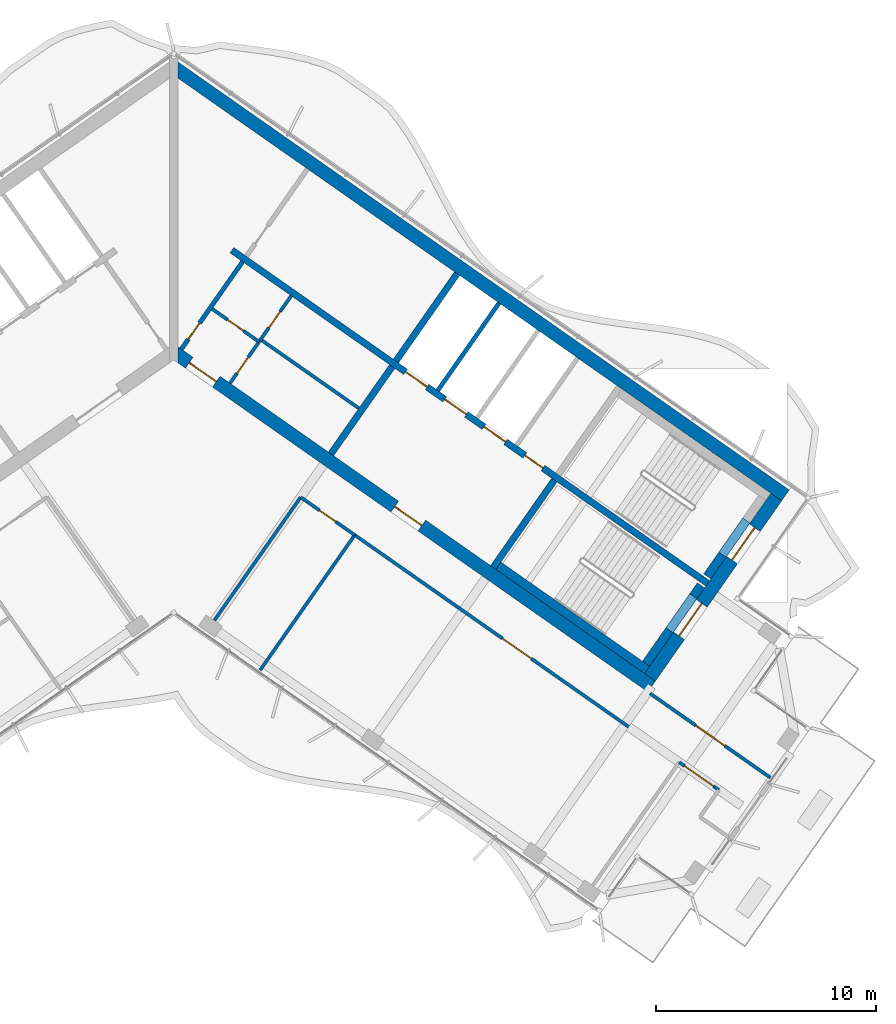
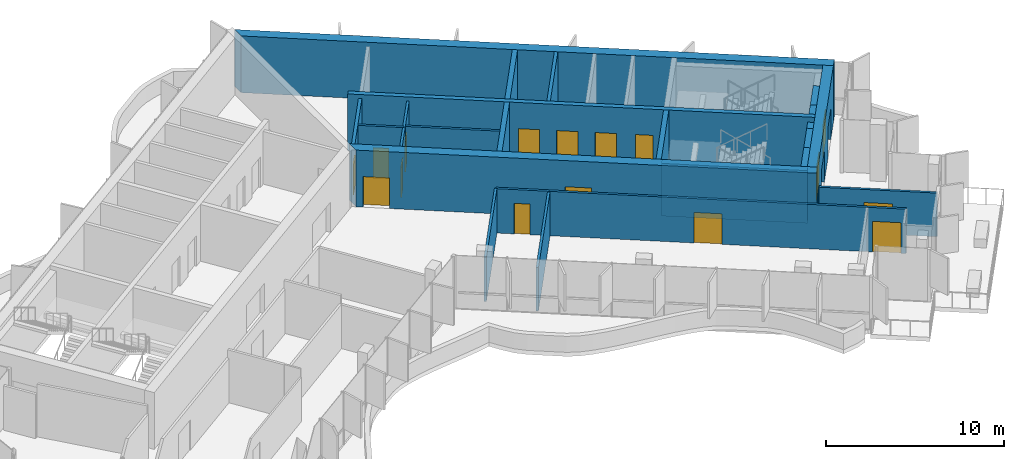
# One storey, part 10 of 18: 24 walls, 16 doors, 16 openings.
"""IFC4 building model written with IfcOpenShell, lengths in metres."""

from ifc_helpers import new_model, si_unit, direction, frame, frame_2d, origin, place, context, subcontext, project, spatial, polyline, rectangle, outline, extrude, material, layer, layer_set, type_object, element, fill, save


model = new_model("IFC4")

# Units and contexts
model_context = context("Model", 3, precision=1e-05, world=origin(), true_north=direction((0.0, 1.0)))
body_context = subcontext(model_context, "Body", "Model", "MODEL_VIEW")
ifc_project = project(units=[si_unit("LENGTHUNIT", "METRE"), si_unit("AREAUNIT", "SQUARE_METRE"), si_unit("VOLUMEUNIT", "CUBIC_METRE"), si_unit("PLANEANGLEUNIT", "RADIAN"), si_unit("MASSUNIT", "GRAM", prefix="KILO")], contexts=[model_context])

# Site, building, storey
site_placement = place(None, origin())
site = spatial("IfcSite", under=ifc_project, at=site_placement, CompositionType="ELEMENT")
building_placement = place(site_placement, origin())
building = spatial("IfcBuilding", under=site, at=building_placement, Name="Tel Ilan Convention Tower", CompositionType="ELEMENT")
storey_placement = place(building_placement, frame((0.0, 0.0, 272.199951171875)))
storey = spatial("IfcBuildingStorey", under=building, at=storey_placement, Name="L64", CompositionType="ELEMENT", Elevation=272.199951171875)

# Wall, openings, doors
ifc_material_1 = material(Name="Gypsum Plasterboard on Steel Stud", Category="steel")
ifc_layer_1 = layer(ifc_material_1, 0.14990234375)
ifc_layer_set_1 = layer_set([ifc_layer_1], Name="Core Room Partition Wall 150 mm EI 60")
wall_type_1 = type_object("IfcWallType", Name="Core Room Partition Wall 150 mm EI 60", PredefinedType="PARTITIONING", material=ifc_layer_set_1)
wall_1_placement = place(storey_placement, frame((2.5556640625, -2.27783203125, 0.0), z_axis=(0.0, 0.0, 1.0), x_axis=(0.573560315113, 0.819163332265, 0.0)))
wall_1 = element("IfcWall", 1, at=wall_1_placement, inside=storey, type_object=wall_type_1, Name="L64 core wall wc-v1", PredefinedType="PARTITIONING", context=body_context, shape_type="SweptSolid", body=[
    extrude(rectangle(XDim=4.849853515625, YDim=0.14990234375, at=frame_2d((2.4248046875, 0.0))), origin(), (0.0, 0.0, 1.0), 3.6201171875),
])
opening_1_placement = place(wall_1_placement, frame((0.550048828125, 0.0, 0.0)))
opening_1 = element("IfcOpeningElement", 2, at=opening_1_placement, cuts=wall_1, Name="Opening CD4911", PredefinedType="OPENING", context=body_context, shape_type="SweptSolid", body=[
    extrude(rectangle(XDim=0.89990234375, YDim=2.10009765625, at=frame_2d((0.449951171875, 1.050048828125))), frame((0.0, 0.0849609375, 0.0), z_axis=(0.0, -1.0, 0.0), x_axis=(1.0, 0.0, 0.0)), (0.0, 0.0, 1.0), 0.169921875),
])
opening_2_placement = place(wall_1_placement, frame((3.074951171875, 0.0, 0.0)))
opening_2 = element("IfcOpeningElement", 3, at=opening_2_placement, cuts=wall_1, Name="Opening CD4912", PredefinedType="OPENING", context=body_context, shape_type="SweptSolid", body=[
    extrude(rectangle(XDim=0.89990234375, YDim=2.10009765625, at=frame_2d((0.449951171875, 1.050048828125))), frame((0.0, 0.0849609375, 0.0), z_axis=(0.0, -1.0, 0.0), x_axis=(1.0, 0.0, 0.0)), (0.0, 0.0, 1.0), 0.169921875),
])
ifc_material_2 = material(Name="Laminated Timber Door Leaf", Category="wood")
door_type_1 = type_object("IfcDoorType", Name="Toilet Door 900 x 2100 FD30S", OperationType="NOTDEFINED", PredefinedType="DOOR", material=ifc_material_2)
door_1_placement = place(opening_1_placement, origin())
door_1 = element("IfcDoor", 4, at=door_1_placement, inside=storey, type_object=door_type_1, Name="Women's WC door", OperationType="SINGLE_SWING_RIGHT", OverallHeight=2.10009765625, OverallWidth=0.89990234375, PredefinedType="DOOR", context=body_context, shape_type="SweptSolid", body=[
    extrude(rectangle(XDim=0.89990234375, YDim=2.10009765625, at=frame_2d((0.449951171875, 1.050048828125))), frame((0.0, 0.02490234375, 0.0), z_axis=(0.0, -1.0, 0.0), x_axis=(1.0, 0.0, 0.0)), (0.0, 0.0, 1.0), 0.050048828125),
])
fill(opening_1, door_1)
door_2_placement = place(opening_2_placement, origin())
door_2 = element("IfcDoor", 5, at=door_2_placement, inside=storey, type_object=door_type_1, Name="Men's WC door", OperationType="SINGLE_SWING_RIGHT", OverallHeight=2.10009765625, OverallWidth=0.89990234375, PredefinedType="DOOR", context=body_context, shape_type="SweptSolid", body=[
    extrude(rectangle(XDim=0.89990234375, YDim=2.10009765625, at=frame_2d((0.449951171875, 1.050048828125))), frame((0.0, 0.02490234375, 0.0), z_axis=(0.0, -1.0, 0.0), x_axis=(1.0, 0.0, 0.0)), (0.0, 0.0, 1.0), 0.050048828125),
])
fill(opening_2, door_2)

# Wall, opening, door
wall_2_placement = place(storey_placement, frame((1.7451171875, 1.097412109375, 0.0), z_axis=(0.0, 0.0, 1.0), x_axis=(0.819178980414, -0.573537965655, 0.0)))
wall_2 = element("IfcWall", 6, at=wall_2_placement, inside=storey, type_object=wall_type_1, Name="L64 core wall wc-h1", PredefinedType="PARTITIONING", context=body_context, shape_type="SweptSolid", body=[
    extrude(rectangle(XDim=2.60009765625, YDim=0.14990234375, at=frame_2d((1.300048828125, 0.0))), origin(), (0.0, 0.0, 1.0), 3.6201171875),
])
opening_3_placement = place(wall_2_placement, frame((0.85009765625, 0.0, 0.0)))
opening_3 = element("IfcOpeningElement", 7, at=opening_3_placement, cuts=wall_2, Name="Opening CD4910", PredefinedType="OPENING", context=body_context, shape_type="SweptSolid", body=[
    extrude(rectangle(XDim=0.89990234375, YDim=2.10009765625, at=frame_2d((0.449951171875, 1.050048828125))), frame((0.0, 0.0849609375, 0.0), z_axis=(0.0, -1.0, 0.0), x_axis=(1.0, 0.0, 0.0)), (0.0, 0.0, 1.0), 0.169921875),
])
door_3_placement = place(opening_3_placement, origin())
door_3 = element("IfcDoor", 8, at=door_3_placement, inside=storey, type_object=door_type_1, Name="Accessible WC door", OperationType="SINGLE_SWING_RIGHT", OverallHeight=2.10009765625, OverallWidth=0.89990234375, PredefinedType="DOOR", context=body_context, shape_type="SweptSolid", body=[
    extrude(rectangle(XDim=0.89990234375, YDim=2.10009765625, at=frame_2d((0.449951171875, 1.050048828125))), frame((0.0, 0.02490234375, 0.0), z_axis=(0.0, -1.0, 0.0), x_axis=(1.0, 0.0, 0.0)), (0.0, 0.0, 1.0), 0.050048828125),
])
fill(opening_3, door_3)

# Wall
wall_3_placement = place(storey_placement, frame((3.946533203125, -0.29150390625, 0.0), z_axis=(0.0, 0.0, 1.0), x_axis=(0.819151939971, -0.573576585332, 0.0)))
element("IfcWall", 9, at=wall_3_placement, inside=storey, type_object=wall_type_1, Name="L64 core wall wc-h2", PredefinedType="PARTITIONING", context=body_context, shape_type="SweptSolid", body=[
    extrude(rectangle(XDim=5.449951171875, YDim=0.14990234375, at=frame_2d((2.72509765625, 0.0))), origin(), (0.0, 0.0, 1.0), 3.6201171875),
])

# Wall, opening, door
ifc_material_3 = material(Name="Concrete C30/37", Category="concrete")
ifc_layer_2 = layer(ifc_material_3, 0.199951171875)
ifc_layer_set_2 = layer_set([ifc_layer_2], Name="Core Service Room Wall 200 mm C30/37")
wall_type_2 = type_object("IfcWallType", Name="Core Service Room Wall 200 mm C30/37", PredefinedType="SOLIDWALL", material=ifc_layer_set_2)
wall_4_placement = place(storey_placement, frame((0.343994140625, -0.729248046875, 0.0), z_axis=(0.0, 0.0, 1.0), x_axis=(0.573560315113, 0.819163332265, 0.0)))
wall_4 = element("IfcWall", 10, at=wall_4_placement, inside=storey, type_object=wall_type_2, Name="L64 core wall apex-E", PredefinedType="SOLIDWALL", context=body_context, shape_type="SweptSolid", body=[
    extrude(rectangle(XDim=4.849853515625, YDim=0.199951171875, at=frame_2d((2.4248046875, 0.0))), origin(), (0.0, 0.0, 1.0), 3.6201171875),
])
opening_4_placement = place(wall_4_placement, frame((0.550048828125, 0.0, 0.0)))
opening_4 = element("IfcOpeningElement", 11, at=opening_4_placement, cuts=wall_4, Name="Opening CD4901", PredefinedType="OPENING", context=body_context, shape_type="SweptSolid", body=[
    extrude(rectangle(XDim=0.89990234375, YDim=2.10009765625, at=frame_2d((0.449951171875, 1.050048828125))), frame((0.0, 0.10986328125, 0.0), z_axis=(0.0, -1.0, 0.0), x_axis=(1.0, 0.0, 0.0)), (0.0, 0.0, 1.0), 0.219970703125),
])
ifc_material_4 = material(Name="Galvanised Steel Door Leaf", Category="steel")
door_type_2 = type_object("IfcDoorType", Name="Service Room Door 900 x 2100 FD60", OperationType="NOTDEFINED", PredefinedType="DOOR", material=ifc_material_4)
door_4_placement = place(opening_4_placement, origin())
door_4 = element("IfcDoor", 12, at=door_4_placement, inside=storey, type_object=door_type_2, Name="Store Room door", OperationType="SINGLE_SWING_RIGHT", OverallHeight=2.10009765625, OverallWidth=0.89990234375, PredefinedType="DOOR", context=body_context, shape_type="SweptSolid", body=[
    extrude(rectangle(XDim=0.89990234375, YDim=2.10009765625, at=frame_2d((0.449951171875, 1.050048828125))), frame((0.0, 0.02490234375, 0.0), z_axis=(0.0, -1.0, 0.0), x_axis=(1.0, 0.0, 0.0)), (0.0, 0.0, 1.0), 0.050048828125),
])
fill(opening_4, door_4)

# Walls
ifc_material_5 = material(Name="Concrete C40/50", Category="concrete")
ifc_layer_3 = layer(ifc_material_5, 0.300048828125)
ifc_layer_set_3 = layer_set([ifc_layer_3], Name="Core Shear Wall 300 mm C40/50")
wall_type_3 = type_object("IfcWallType", Name="Core Shear Wall 300 mm C40/50", PredefinedType="SHEAR", material=ifc_layer_set_3)
wall_5_placement = place(storey_placement, frame((7.142822265625, -5.48974609375, 0.0), z_axis=(0.0, 0.0, 1.0), x_axis=(0.573617744349, 0.819123118565, 0.0)))
element("IfcWall", 13, at=wall_5_placement, inside=storey, type_object=wall_type_3, Name="L64 core wall E-cross1-1", PredefinedType="SHEAR", context=body_context, shape_type="SweptSolid", body=[
    extrude(outline(polyline([(0.0, 0.14990234375), (0.0, -0.150146484375), (4.85009765625, -0.14990234375), (4.85009765625, 0.150146484375), (0.0, 0.14990234375)])), origin(), (0.0, 0.0, 1.0), 3.900146484375),
])
wall_6_placement = place(storey_placement, frame((10.096923828125, -1.271240234375, 0.0), z_axis=(0.0, 0.0, 1.0), x_axis=(0.573560315113, 0.819163332265, 0.0)))
element("IfcWall", 14, at=wall_6_placement, inside=storey, type_object=wall_type_3, Name="L64 core wall E-cross1-2", PredefinedType="SHEAR", context=body_context, shape_type="SweptSolid", body=[
    extrude(outline(polyline([(4.849853515625, -0.150146484375), (4.849853515625, 0.14990234375), (0.0, 0.150146484375), (0.0, -0.14990234375), (4.849853515625, -0.150146484375)])), origin(), (0.0, 0.0, 1.0), 3.900146484375),
])
wall_7_placement = place(storey_placement, frame((14.515380859375, -10.652099609375, 0.0), z_axis=(0.0, 0.0, 1.0), x_axis=(0.573560315113, 0.819163332265, 0.0)))
element("IfcWall", 15, at=wall_7_placement, inside=storey, type_object=wall_type_3, Name="L64 core wall E-cross2-1", PredefinedType="SHEAR", context=body_context, shape_type="SweptSolid", body=[
    extrude(outline(polyline([(0.0, 0.150146484375), (0.0, -0.14990234375), (4.85009765625, -0.14990234375), (4.85009765625, 0.14990234375), (0.0, 0.150146484375)])), origin(), (0.0, 0.0, 1.0), 3.900146484375),
])

# Wall, openings, doors
wall_8_placement = place(storey_placement, frame((2.638427734375, 3.76806640625, 0.0), z_axis=(0.0, 0.0, 1.0), x_axis=(0.819155014212, -0.573572194837, 0.0)))
wall_8 = element("IfcWall", 16, at=wall_8_placement, inside=storey, type_object=wall_type_3, Name="L64 core wall E-spine", PredefinedType="SHEAR", context=body_context, shape_type="SweptSolid", body=[
    extrude(outline(polyline([(0.0, 0.150146484375), (0.0, -0.14990234375), (26.39990234375, -0.150146484375), (26.39990234375, 0.14990234375), (0.0, 0.150146484375)])), origin(), (0.0, 0.0, 1.0), 3.900146484375),
])
opening_5_placement = place(wall_8_placement, frame((9.637451171875, 0.0, 0.0)))
opening_5 = element("IfcOpeningElement", 17, at=opening_5_placement, cuts=wall_8, Name="Opening LD4901", PredefinedType="OPENING", context=body_context, shape_type="SweptSolid", body=[
    extrude(rectangle(XDim=1.199951171875, YDim=2.10009765625, at=frame_2d((0.60009765625, 1.050048828125))), frame((0.0, 0.159912109375, 0.0), z_axis=(0.0, -1.0, 0.0), x_axis=(1.0, 0.0, 0.0)), (0.0, 0.0, 1.0), 0.320068359375),
])
opening_6_placement = place(wall_8_placement, frame((11.8125, 0.0, 0.0)))
opening_6 = element("IfcOpeningElement", 18, at=opening_6_placement, cuts=wall_8, Name="Opening LD4902", PredefinedType="OPENING", context=body_context, shape_type="SweptSolid", body=[
    extrude(rectangle(XDim=1.199951171875, YDim=2.10009765625, at=frame_2d((0.60009765625, 1.050048828125))), frame((0.0, 0.159912109375, 0.0), z_axis=(0.0, -1.0, 0.0), x_axis=(1.0, 0.0, 0.0)), (0.0, 0.0, 1.0), 0.320068359375),
])
opening_7_placement = place(wall_8_placement, frame((13.987548828125, 0.0, 0.0)))
opening_7 = element("IfcOpeningElement", 19, at=opening_7_placement, cuts=wall_8, Name="Opening LD4903", PredefinedType="OPENING", context=body_context, shape_type="SweptSolid", body=[
    extrude(rectangle(XDim=1.199951171875, YDim=2.10009765625, at=frame_2d((0.60009765625, 1.050048828125))), frame((0.0, 0.159912109375, 0.0), z_axis=(0.0, -1.0, 0.0), x_axis=(1.0, 0.0, 0.0)), (0.0, 0.0, 1.0), 0.320068359375),
])
opening_8_placement = place(wall_8_placement, frame((16.262451171875, 0.0, 0.0)))
opening_8 = element("IfcOpeningElement", 20, at=opening_8_placement, cuts=wall_8, Name="Opening CD4908", PredefinedType="OPENING", context=body_context, shape_type="SweptSolid", body=[
    extrude(rectangle(XDim=1.0, YDim=2.10009765625, at=frame_2d((0.5, 1.050048828125))), frame((0.0, 0.159912109375, 0.0), z_axis=(0.0, -1.0, 0.0), x_axis=(1.0, 0.0, 0.0)), (0.0, 0.0, 1.0), 0.320068359375),
])
ifc_material_6 = material(Name="Stainless Steel Sliding Door Leaf", Category="steel")
door_type_3 = type_object("IfcDoorType", Name="Lift Landing Door 1200 x 2100 FD120", OperationType="NOTDEFINED", PredefinedType="DOOR", material=ifc_material_6)
door_5_placement = place(opening_5_placement, origin())
door_5 = element("IfcDoor", 21, at=door_5_placement, inside=storey, type_object=door_type_3, Name="Lift FL1 landing door", OperationType="SLIDING_TO_LEFT", OverallHeight=2.10009765625, OverallWidth=1.199951171875, PredefinedType="DOOR", context=body_context, shape_type="SweptSolid", body=[
    extrude(rectangle(XDim=1.199951171875, YDim=2.10009765625, at=frame_2d((0.60009765625, 1.050048828125))), frame((0.0, 0.02490234375, 0.0), z_axis=(0.0, -1.0, 0.0), x_axis=(1.0, 0.0, 0.0)), (0.0, 0.0, 1.0), 0.050048828125),
])
fill(opening_5, door_5)
door_6_placement = place(opening_6_placement, origin())
door_6 = element("IfcDoor", 22, at=door_6_placement, inside=storey, type_object=door_type_3, Name="Lift FL2 landing door", OperationType="SLIDING_TO_RIGHT", OverallHeight=2.10009765625, OverallWidth=1.199951171875, PredefinedType="DOOR", context=body_context, shape_type="SweptSolid", body=[
    extrude(rectangle(XDim=1.199951171875, YDim=2.10009765625, at=frame_2d((0.60009765625, 1.050048828125))), frame((0.0, 0.02490234375, 0.0), z_axis=(0.0, -1.0, 0.0), x_axis=(1.0, 0.0, 0.0)), (0.0, 0.0, 1.0), 0.050048828125),
])
fill(opening_6, door_6)
door_7_placement = place(opening_7_placement, origin())
door_7 = element("IfcDoor", 23, at=door_7_placement, inside=storey, type_object=door_type_3, Name="Lift FL3 landing door", OperationType="SLIDING_TO_LEFT", OverallHeight=2.10009765625, OverallWidth=1.199951171875, PredefinedType="DOOR", context=body_context, shape_type="SweptSolid", body=[
    extrude(rectangle(XDim=1.199951171875, YDim=2.10009765625, at=frame_2d((0.60009765625, 1.050048828125))), frame((0.0, 0.02490234375, 0.0), z_axis=(0.0, -1.0, 0.0), x_axis=(1.0, 0.0, 0.0)), (0.0, 0.0, 1.0), 0.050048828125),
])
fill(opening_7, door_7)
ifc_material_7 = material(Name="Galvanised Steel Door Leaf", Category="steel")
door_type_4 = type_object("IfcDoorType", Name="Service Room Door 1000 x 2100 FD60", OperationType="NOTDEFINED", PredefinedType="DOOR", material=ifc_material_7)
door_8_placement = place(opening_8_placement, origin())
door_8 = element("IfcDoor", 24, at=door_8_placement, inside=storey, type_object=door_type_4, Name="Plant Room door", OperationType="SINGLE_SWING_RIGHT", OverallHeight=2.10009765625, OverallWidth=1.0, PredefinedType="DOOR", context=body_context, shape_type="SweptSolid", body=[
    extrude(rectangle(XDim=1.0, YDim=2.10009765625, at=frame_2d((0.5, 1.050048828125))), frame((0.0, 0.02490234375, 0.0), z_axis=(0.0, -1.0, 0.0), x_axis=(1.0, 0.0, 0.0)), (0.0, 0.0, 1.0), 0.050048828125),
])
fill(opening_8, door_8)

# Wall
ifc_material_8 = material(Name="Concrete C40/50", Category="concrete")
ifc_layer_4 = layer(ifc_material_8, 0.60009765625)
ifc_layer_set_4 = layer_set([ifc_layer_4], Name="Core Shear Wall 600 mm C40/50")
wall_type_4 = type_object("IfcWallType", Name="Core Shear Wall 600 mm C40/50", PredefinedType="SHEAR", material=ifc_layer_set_4)
wall_9_placement = place(storey_placement, frame((0.02783203125, 12.066162109375, 0.0), z_axis=(0.0, 0.0, 1.0), x_axis=(0.819151382952, -0.573577380837, 0.0)))
element("IfcWall", 25, at=wall_9_placement, inside=storey, type_object=wall_type_4, Name="L64 core wall E-back", PredefinedType="SHEAR", context=body_context, shape_type="SweptSolid", body=[
    extrude(outline(polyline([(33.898193359375, 0.300048828125), (0.0, 0.300048828125), (0.420166015625, -0.300048828125), (33.89794921875, -0.300048828125), (33.898193359375, 0.300048828125)])), origin(), (0.0, 0.0, 1.0), 3.900146484375),
])

# Wall, openings, doors
wall_10_placement = place(storey_placement, frame((0.02783203125, -0.8740234375, 0.0), z_axis=(0.0, 0.0, 1.0), x_axis=(0.819150035022, -0.573579305871, 0.0)))
wall_10 = element("IfcWall", 26, at=wall_10_placement, inside=storey, type_object=wall_type_4, Name="L64 core wall E-front", PredefinedType="SHEAR", context=body_context, shape_type="SweptSolid", body=[
    extrude(outline(polyline([(26.475830078125, 0.300048828125), (0.000244140625, 0.300048828125), (0.420166015625, -0.300048828125), (26.475830078125, -0.2998046875), (26.475830078125, 0.300048828125)])), origin(), (0.0, 0.0, 1.0), 3.900146484375),
])
opening_9_placement = place(wall_10_placement, frame((0.82568359375, 0.0, 0.0)))
opening_9 = element("IfcOpeningElement", 27, at=opening_9_placement, cuts=wall_10, Name="Opening CD4904", PredefinedType="OPENING", context=body_context, shape_type="SweptSolid", body=[
    extrude(rectangle(XDim=1.5, YDim=2.10009765625, at=frame_2d((0.75, 1.050048828125))), frame((0.0, 0.31005859375, 0.0), z_axis=(0.0, -1.0, 0.0), x_axis=(1.0, 0.0, 0.0)), (0.0, 0.0, 1.0), 0.6201171875),
])
opening_10_placement = place(wall_10_placement, frame((12.225830078125, 0.0, 0.0)))
opening_10 = element("IfcOpeningElement", 28, at=opening_10_placement, cuts=wall_10, Name="Opening CD4905", PredefinedType="OPENING", context=body_context, shape_type="SweptSolid", body=[
    extrude(rectangle(XDim=1.5, YDim=2.10009765625, at=frame_2d((0.75, 1.050048828125))), frame((0.0, 0.31005859375, 0.0), z_axis=(0.0, -1.0, 0.0), x_axis=(1.0, 0.0, 0.0)), (0.0, 0.0, 1.0), 0.6201171875),
])
ifc_material_9 = material(Name="Glazed Aluminium Door Leaf", Category="aluminium")
door_type_5 = type_object("IfcDoorType", Name="Lobby Opening Door 1500 x 2100 FD60S", OperationType="NOTDEFINED", PredefinedType="DOOR", material=ifc_material_9)
door_9_placement = place(opening_10_placement, origin())
door_9 = element("IfcDoor", 29, at=door_9_placement, inside=storey, type_object=door_type_5, Name="Firefighting Lobby door", OperationType="DOUBLE_DOOR_SINGLE_SWING", OverallHeight=2.10009765625, OverallWidth=1.5, PredefinedType="DOOR", context=body_context, shape_type="SweptSolid", body=[
    extrude(rectangle(XDim=1.5, YDim=2.10009765625, at=frame_2d((0.75, 1.050048828125))), frame((0.0, 0.02490234375, 0.0), z_axis=(0.0, -1.0, 0.0), x_axis=(1.0, 0.0, 0.0)), (0.0, 0.0, 1.0), 0.050048828125),
])
fill(opening_10, door_9)
ifc_material_10 = material(Name="Laminated Timber Door Leaf", Category="wood")
door_type_6 = type_object("IfcDoorType", Name="Toilet Door 1500 x 2100 FD30S", OperationType="NOTDEFINED", PredefinedType="DOOR", material=ifc_material_10)
door_10_placement = place(opening_9_placement, origin())
door_10 = element("IfcDoor", 30, at=door_10_placement, inside=storey, type_object=door_type_6, Name="WC Lobby door", OperationType="SINGLE_SWING_RIGHT", OverallHeight=2.10009765625, OverallWidth=1.5, PredefinedType="DOOR", context=body_context, shape_type="SweptSolid", body=[
    extrude(rectangle(XDim=1.5, YDim=2.10009765625, at=frame_2d((0.75, 1.050048828125))), frame((0.0, 0.02490234375, 0.0), z_axis=(0.0, -1.0, 0.0), x_axis=(1.0, 0.0, 0.0)), (0.0, 0.0, 1.0), 0.050048828125),
])
fill(opening_9, door_10)

wall_11_placement = place(storey_placement, frame((21.641845703125, -15.64208984375, 0.0), z_axis=(0.0, 0.0, 1.0), x_axis=(0.573586866468, 0.819144740944, 0.0)))
wall_11 = element("IfcWall", 31, at=wall_11_placement, inside=storey, type_object=wall_type_4, Name="L64 core wall E-end", PredefinedType="SHEAR", context=body_context, shape_type="SweptSolid", body=[
    extrude(outline(polyline([(10.0, 0.300048828125), (0.0, 0.2998046875), (0.0, -0.300048828125), (10.0, -0.300048828125), (10.0, 0.300048828125)])), origin(), (0.0, 0.0, 1.0), 3.900146484375),
])
opening_11_placement = place(wall_11_placement, frame((6.5, 0.0, 0.0)))
opening_11 = element("IfcOpeningElement", 32, at=opening_11_placement, cuts=wall_11, Name="Opening SD4903", PredefinedType="OPENING", context=body_context, shape_type="SweptSolid", body=[
    extrude(rectangle(XDim=1.800048828125, YDim=2.10009765625, at=frame_2d((0.89990234375, 1.050048828125))), frame((0.0, 0.31005859375, 0.0), z_axis=(0.0, -1.0, 0.0), x_axis=(1.0, 0.0, 0.0)), (0.0, 0.0, 1.0), 0.6201171875),
])
opening_12_placement = place(wall_11_placement, frame((2.300048828125, 0.0, 0.0)))
opening_12 = element("IfcOpeningElement", 33, at=opening_12_placement, cuts=wall_11, Name="Opening SD4904", PredefinedType="OPENING", context=body_context, shape_type="SweptSolid", body=[
    extrude(rectangle(XDim=1.800048828125, YDim=2.10009765625, at=frame_2d((0.89990234375, 1.050048828125))), frame((0.0, 0.31005859375, 0.0), z_axis=(0.0, -1.0, 0.0), x_axis=(1.0, 0.0, 0.0)), (0.0, 0.0, 1.0), 0.6201171875),
])
ifc_material_11 = material(Name="Galvanised Steel Door Leaf", Category="steel")
door_type_7 = type_object("IfcDoorType", Name="Stair Fire Door 1800 x 2100 FD60S", OperationType="NOTDEFINED", PredefinedType="DOOR", material=ifc_material_11)
door_11_placement = place(opening_11_placement, origin())
door_11 = element("IfcDoor", 34, at=door_11_placement, inside=storey, type_object=door_type_7, Name="Stair S3 door", OperationType="DOUBLE_DOOR_SINGLE_SWING", OverallHeight=2.10009765625, OverallWidth=1.800048828125, PredefinedType="DOOR", context=body_context, shape_type="SweptSolid", body=[
    extrude(rectangle(XDim=1.800048828125, YDim=2.10009765625, at=frame_2d((0.89990234375, 1.050048828125))), frame((0.0, 0.02490234375, 0.0), z_axis=(0.0, -1.0, 0.0), x_axis=(1.0, 0.0, 0.0)), (0.0, 0.0, 1.0), 0.050048828125),
])
fill(opening_11, door_11)
door_12_placement = place(opening_12_placement, origin())
door_12 = element("IfcDoor", 35, at=door_12_placement, inside=storey, type_object=door_type_7, Name="Stair S4 door", OperationType="DOUBLE_DOOR_SINGLE_SWING", OverallHeight=2.10009765625, OverallWidth=1.800048828125, PredefinedType="DOOR", context=body_context, shape_type="SweptSolid", body=[
    extrude(rectangle(XDim=1.800048828125, YDim=2.10009765625, at=frame_2d((0.89990234375, 1.050048828125))), frame((0.0, 0.02490234375, 0.0), z_axis=(0.0, -1.0, 0.0), x_axis=(1.0, 0.0, 0.0)), (0.0, 0.0, 1.0), 0.050048828125),
])
fill(opening_12, door_12)

# Wall, opening, door
ifc_material_12 = material(Name="Plasterboard on Steel Studs", Category="steel")
ifc_layer_5 = layer(ifc_material_12, 0.14990234375)
ifc_layer_set_5 = layer_set([ifc_layer_5], Name="Fire-rated Partition 150 EI 60")
wall_type_5 = type_object("IfcWallType", Name="Fire-rated Partition 150 EI 60", PredefinedType="PARTITIONING", material=ifc_layer_set_5)
wall_12_placement = place(storey_placement, frame((21.641845703125, -16.37451171875, 0.0), z_axis=(0.0, 0.0, 1.0), x_axis=(0.819147777977, -0.573582529227, 0.0)))
wall_12 = element("IfcWall", 36, at=wall_12_placement, inside=storey, type_object=wall_type_5, Name="Partition 001", PredefinedType="PARTITIONING", context=body_context, shape_type="SweptSolid", body=[
    extrude(rectangle(XDim=6.679931640625, YDim=0.14990234375, at=frame_2d((3.33984375, 0.0))), origin(), (0.0, 0.0, 1.0), 3.0),
])
opening_13_placement = place(wall_12_placement, frame((2.5400390625, 0.0, 0.0)))
opening_13 = element("IfcOpeningElement", 37, at=opening_13_placement, cuts=wall_12, Name="Opening L64-010", PredefinedType="OPENING", context=body_context, shape_type="SweptSolid", body=[
    extrude(rectangle(XDim=1.60009765625, YDim=2.10009765625, at=frame_2d((0.800048828125, 1.050048828125))), frame((0.0, 0.0849609375, 0.0), z_axis=(0.0, -1.0, 0.0), x_axis=(1.0, 0.0, 0.0)), (0.0, 0.0, 1.0), 0.169921875),
])
ifc_material_13 = material(Name="Timber Door Leaf in Steel Frame", Category="steel")
door_type_8 = type_object("IfcDoorType", Name="Tenant Suite Entrance Fire Door 1600x2100", OperationType="NOTDEFINED", PredefinedType="DOOR", material=ifc_material_13)
door_13_placement = place(opening_13_placement, origin())
door_13 = element("IfcDoor", 38, at=door_13_placement, inside=storey, type_object=door_type_8, Name="Door L64-010", OperationType="DOUBLE_DOOR_SINGLE_SWING", OverallHeight=2.10009765625, OverallWidth=1.60009765625, PredefinedType="DOOR", context=body_context, shape_type="SweptSolid", body=[
    extrude(rectangle(XDim=1.60009765625, YDim=2.10009765625, at=frame_2d((0.800048828125, 1.050048828125))), frame((0.0, 0.02490234375, 0.0), z_axis=(0.0, -1.0, 0.0), x_axis=(1.0, 0.0, 0.0)), (0.0, 0.0, 1.0), 0.050048828125),
])
fill(opening_13, door_13)

wall_13_placement = place(storey_placement, frame((8.225341796875, -9.177734375, 0.0), z_axis=(0.0, 0.0, 1.0), x_axis=(-0.819132568355, 0.573604249862, 0.0)))
wall_13 = element("IfcWall", 39, at=wall_13_placement, inside=storey, type_object=wall_type_5, Name="Partition 002", PredefinedType="PARTITIONING", context=body_context, shape_type="SweptSolid", body=[
    extrude(rectangle(XDim=3.001953125, YDim=0.14990234375, at=frame_2d((1.5009765625, 0.0))), origin(), (0.0, 0.0, 1.0), 3.050048828125),
])
opening_14_placement = place(wall_13_placement, frame((1.051025390625, 0.0, 0.0)))
opening_14 = element("IfcOpeningElement", 40, at=opening_14_placement, cuts=wall_13, Name="Opening L64-007", PredefinedType="OPENING", context=body_context, shape_type="SweptSolid", body=[
    extrude(rectangle(XDim=0.89990234375, YDim=2.10009765625, at=frame_2d((0.449951171875, 1.050048828125))), frame((0.0, 0.0849609375, 0.0), z_axis=(0.0, -1.0, 0.0), x_axis=(1.0, 0.0, 0.0)), (0.0, 0.0, 1.0), 0.169921875),
])
ifc_material_14 = material(Name="Timber Door Leaf in Steel Frame", Category="steel")
door_type_9 = type_object("IfcDoorType", Name="Room Fire Door 900x2100", OperationType="NOTDEFINED", PredefinedType="DOOR", material=ifc_material_14)
door_14_placement = place(opening_14_placement, origin())
door_14 = element("IfcDoor", 41, at=door_14_placement, inside=storey, type_object=door_type_9, Name="Door L64-007", OperationType="SINGLE_SWING_RIGHT", OverallHeight=2.10009765625, OverallWidth=0.89990234375, PredefinedType="DOOR", context=body_context, shape_type="SweptSolid", body=[
    extrude(rectangle(XDim=0.89990234375, YDim=2.10009765625, at=frame_2d((0.449951171875, 1.050048828125))), frame((0.0, 0.02490234375, 0.0), z_axis=(0.0, -1.0, 0.0), x_axis=(1.0, 0.0, 0.0)), (0.0, 0.0, 1.0), 0.050048828125),
])
fill(opening_14, door_14)

wall_14_placement = place(storey_placement, frame((22.97021484375, -19.502197265625, 0.0), z_axis=(0.0, 0.0, 1.0), x_axis=(-0.819146545681, 0.573584289097, 0.0)))
wall_14 = element("IfcWall", 42, at=wall_14_placement, inside=storey, type_object=wall_type_5, Name="Partition 003", PredefinedType="PARTITIONING", context=body_context, shape_type="SweptSolid", body=[
    extrude(rectangle(XDim=18.004150390625, YDim=0.14990234375, at=frame_2d((9.001953125, 0.0))), origin(), (0.0, 0.0, 1.0), 3.050048828125),
])
opening_15_placement = place(wall_14_placement, frame((8.201904296875, 0.0, 0.0)))
opening_15 = element("IfcOpeningElement", 43, at=opening_15_placement, cuts=wall_14, Name="Opening L64-008", PredefinedType="OPENING", context=body_context, shape_type="SweptSolid", body=[
    extrude(rectangle(XDim=1.60009765625, YDim=2.10009765625, at=frame_2d((0.800048828125, 1.050048828125))), frame((0.0, 0.0849609375, 0.0), z_axis=(0.0, -1.0, 0.0), x_axis=(1.0, 0.0, 0.0)), (0.0, 0.0, 1.0), 0.169921875),
])
door_15_placement = place(opening_15_placement, origin())
door_15 = element("IfcDoor", 44, at=door_15_placement, inside=storey, type_object=door_type_8, Name="Door L64-008", OperationType="DOUBLE_DOOR_SINGLE_SWING", OverallHeight=2.10009765625, OverallWidth=1.60009765625, PredefinedType="DOOR", context=body_context, shape_type="SweptSolid", body=[
    extrude(rectangle(XDim=1.60009765625, YDim=2.10009765625, at=frame_2d((0.800048828125, 1.050048828125))), frame((0.0, 0.02490234375, 0.0), z_axis=(0.0, -1.0, 0.0), x_axis=(1.0, 0.0, 0.0)), (0.0, 0.0, 1.0), 0.050048828125),
])
fill(opening_15, door_15)

wall_15_placement = place(storey_placement, frame((24.770751953125, -20.7626953125, 0.0), z_axis=(0.0, 0.0, 1.0), x_axis=(-0.819195459282, 0.573514428321, 0.0)))
wall_15 = element("IfcWall", 45, at=wall_15_placement, inside=storey, type_object=wall_type_5, Name="Partition 006", PredefinedType="PARTITIONING", context=body_context, shape_type="SweptSolid", body=[
    extrude(rectangle(XDim=2.2021484375, YDim=0.14990234375, at=frame_2d((1.10107421875, 0.0))), origin(), (0.0, 0.0, 1.0), 3.050048828125),
])
opening_16_placement = place(wall_15_placement, frame((0.301025390625, 0.0, 0.0)))
opening_16 = element("IfcOpeningElement", 46, at=opening_16_placement, cuts=wall_15, Name="Opening L64-009", PredefinedType="OPENING", context=body_context, shape_type="SweptSolid", body=[
    extrude(rectangle(XDim=1.60009765625, YDim=2.10009765625, at=frame_2d((0.800048828125, 1.050048828125))), frame((0.0, 0.0849609375, 0.0), z_axis=(0.0, -1.0, 0.0), x_axis=(1.0, 0.0, 0.0)), (0.0, 0.0, 1.0), 0.169921875),
])
door_16_placement = place(opening_16_placement, origin())
door_16 = element("IfcDoor", 47, at=door_16_placement, inside=storey, type_object=door_type_8, Name="Door L64-009", OperationType="DOUBLE_DOOR_SINGLE_SWING", OverallHeight=2.10009765625, OverallWidth=1.60009765625, PredefinedType="DOOR", context=body_context, shape_type="SweptSolid", body=[
    extrude(rectangle(XDim=1.60009765625, YDim=2.10009765625, at=frame_2d((0.800048828125, 1.050048828125))), frame((0.0, 0.02490234375, 0.0), z_axis=(0.0, -1.0, 0.0), x_axis=(1.0, 0.0, 0.0)), (0.0, 0.0, 1.0), 0.050048828125),
])
fill(opening_16, door_16)

# Walls
wall_16_placement = place(storey_placement, frame((8.223876953125, -9.176513671875, 0.0), z_axis=(0.0, 0.0, 1.0), x_axis=(-0.573560650686, -0.819163097304, 0.0)))
element("IfcWall", 48, at=wall_16_placement, inside=storey, type_object=wall_type_5, Name="Partition 012", PredefinedType="PARTITIONING", context=body_context, shape_type="SweptSolid", body=[
    extrude(rectangle(XDim=7.5, YDim=0.14990234375, at=frame_2d((3.75, 0.0))), origin(), (0.0, 0.0, 1.0), 3.0),
])
wall_17_placement = place(storey_placement, frame((1.848876953125, -13.050537109375, 0.0), z_axis=(0.0, 0.0, 1.0), x_axis=(0.573577493031, 0.819151304393, 0.0)))
element("IfcWall", 49, at=wall_17_placement, inside=storey, type_object=wall_type_5, Name="Partition 013", PredefinedType="PARTITIONING", context=body_context, shape_type="SweptSolid", body=[
    extrude(rectangle(XDim=6.829833984375, YDim=0.14990234375, at=frame_2d((3.4150390625, 0.0))), origin(), (0.0, 0.0, 1.0), 3.050048828125),
])
ifc_material_15 = material(Name="Concrete C30/37", Category="concrete")
ifc_layer_6 = layer(ifc_material_15, 0.199951171875)
ifc_layer_set_6 = layer_set([ifc_layer_6], Name="Lift Shaft Wall 200 mm C30/37")
wall_type_6 = type_object("IfcWallType", Name="Lift Shaft Wall 200 mm C30/37", PredefinedType="SOLIDWALL", material=ifc_layer_set_6)
wall_18_placement = place(storey_placement, frame((12.00146484375, -2.604736328125, 0.0), z_axis=(0.0, 0.0, 1.0), x_axis=(0.573560315113, 0.819163332265, 0.0)))
element("IfcWall", 50, at=wall_18_placement, inside=storey, type_object=wall_type_6, Name="L64 core wall bank-E2-p0", PredefinedType="SOLIDWALL", context=body_context, shape_type="SweptSolid", body=[
    extrude(rectangle(XDim=4.849853515625, YDim=0.199951171875, at=frame_2d((2.4248046875, 0.0))), origin(), (0.0, 0.0, 1.0), 3.900146484375),
])
ifc_material_16 = material(Name="Concrete C30/37", Category="concrete")
ifc_layer_7 = layer(ifc_material_16, 0.39990234375)
ifc_layer_set_7 = layer_set([ifc_layer_7], Name="Stair and Shaft Lining Wall 400 mm C30/37")
wall_type_7 = type_object("IfcWallType", Name="Stair and Shaft Lining Wall 400 mm C30/37", PredefinedType="SOLIDWALL", material=ifc_layer_set_7)
wall_19_placement = place(storey_placement, frame((24.24365234375, -11.0546875, 0.0), z_axis=(0.0, 0.0, 1.0), x_axis=(0.573571582932, 0.819155442668, 0.0)))
element("IfcWall", 51, at=wall_19_placement, inside=storey, type_object=wall_type_7, Name="L64 core wall lining-S3-u1-0", PredefinedType="SOLIDWALL", context=body_context, shape_type="SweptSolid", body=[
    extrude(rectangle(XDim=1.199951171875, YDim=0.39990234375, at=frame_2d((0.60009765625, 0.0))), origin(), (0.0, 0.0, 1.0), 3.6201171875),
])
wall_20_placement = place(storey_placement, frame((24.931884765625, -10.07177734375, 2.150146484375), z_axis=(0.0, 0.0, 1.0), x_axis=(0.573591692345, 0.819141361715, 0.0)))
element("IfcWall", 52, at=wall_20_placement, inside=storey, type_object=wall_type_7, Name="L64 core wall lining-S3-u1-lintel", PredefinedType="SOLIDWALL", context=body_context, shape_type="SweptSolid", body=[
    extrude(rectangle(XDim=1.900146484375, YDim=0.39990234375, at=frame_2d((0.9501953125, 0.0))), origin(), (0.0, 0.0, 1.0), 1.469970703125),
])
wall_21_placement = place(storey_placement, frame((14.7529296875, -10.57421875, 0.0), z_axis=(0.0, 0.0, 1.0), x_axis=(0.819158229677, -0.573567602601, 0.0)))
element("IfcWall", 53, at=wall_21_placement, inside=storey, type_object=wall_type_7, Name="L64 core wall lining-S4-t0", PredefinedType="SOLIDWALL", context=body_context, shape_type="SweptSolid", body=[
    extrude(rectangle(XDim=8.25, YDim=0.39990234375, at=frame_2d((4.125, 0.0))), origin(), (0.0, 0.0, 1.0), 3.6201171875),
])
wall_22_placement = place(storey_placement, frame((21.4619140625, -15.027587890625, 0.0), z_axis=(0.0, 0.0, 1.0), x_axis=(0.573559770908, 0.819163713305, 0.0)))
element("IfcWall", 54, at=wall_22_placement, inside=storey, type_object=wall_type_7, Name="L64 core wall lining-S4-u1-0", PredefinedType="SOLIDWALL", context=body_context, shape_type="SweptSolid", body=[
    extrude(rectangle(XDim=1.849853515625, YDim=0.39990234375, at=frame_2d((0.9248046875, 0.0))), origin(), (0.0, 0.0, 1.0), 3.6201171875),
])
wall_23_placement = place(storey_placement, frame((23.61279296875, -11.955810546875, 0.0), z_axis=(0.0, 0.0, 1.0), x_axis=(0.573435029941, 0.819251039936, 0.0)))
element("IfcWall", 55, at=wall_23_placement, inside=storey, type_object=wall_type_7, Name="L64 core wall lining-S4-u1-1", PredefinedType="SOLIDWALL", context=body_context, shape_type="SweptSolid", body=[
    extrude(rectangle(XDim=0.599853515625, YDim=0.39990234375, at=frame_2d((0.2998046875, 0.0))), origin(), (0.0, 0.0, 1.0), 3.6201171875),
])
wall_24_placement = place(storey_placement, frame((22.52294921875, -13.51220703125, 2.150146484375), z_axis=(0.0, 0.0, 1.0), x_axis=(0.573591692345, 0.819141361715, 0.0)))
element("IfcWall", 56, at=wall_24_placement, inside=storey, type_object=wall_type_7, Name="L64 core wall lining-S4-u1-lintel", PredefinedType="SOLIDWALL", context=body_context, shape_type="SweptSolid", body=[
    extrude(rectangle(XDim=1.900146484375, YDim=0.39990234375, at=frame_2d((0.9501953125, 0.0))), origin(), (0.0, 0.0, 1.0), 1.469970703125),
])

save(model, "model.ifc")
